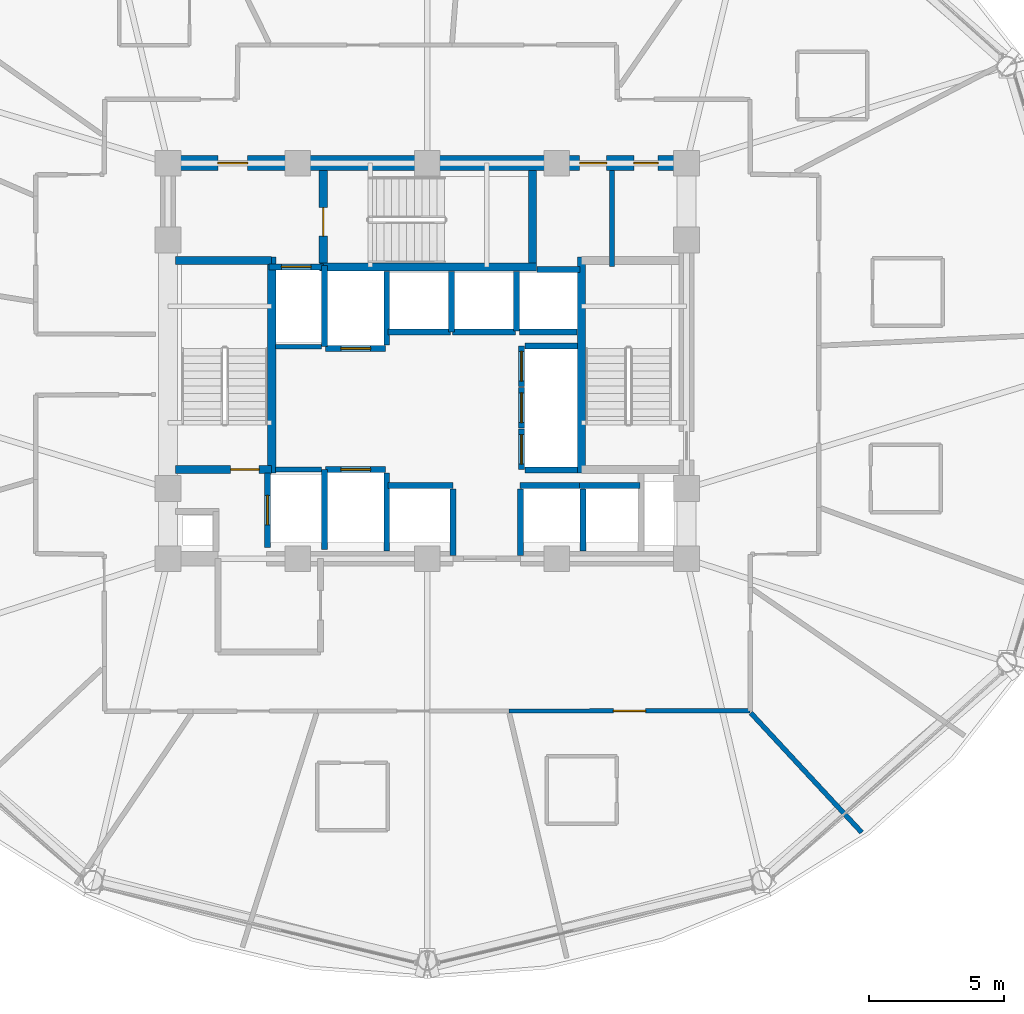
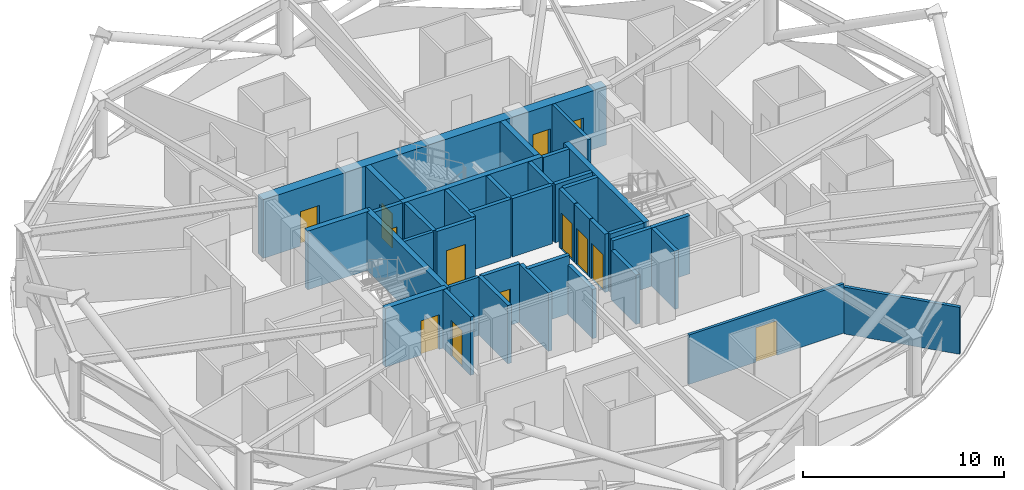
# One storey, part 23 of 29: 38 walls, 13 doors, 13 openings.
"""IFC4 building model written with IfcOpenShell, lengths in metres."""

from ifc_helpers import new_model, si_unit, direction, frame, frame_2d, origin, place, context, subcontext, project, spatial, rectangle, extrude, material, layer, layer_set, type_object, element, fill, save


model = new_model("IFC4")

# Units and contexts
model_context = context("Model", 3, precision=1e-05, world=origin(), true_north=direction((0.0, 1.0)))
body_context = subcontext(model_context, "Body", "Model", "MODEL_VIEW")
ifc_project = project(units=[si_unit("LENGTHUNIT", "METRE"), si_unit("AREAUNIT", "SQUARE_METRE"), si_unit("VOLUMEUNIT", "CUBIC_METRE"), si_unit("PLANEANGLEUNIT", "RADIAN"), si_unit("MASSUNIT", "GRAM", prefix="KILO")], contexts=[model_context])

# Site, building, storey
site_placement = place(None, origin())
site = spatial("IfcSite", under=ifc_project, at=site_placement, CompositionType="ELEMENT")
building_placement = place(site_placement, origin())
building = spatial("IfcBuilding", under=site, at=building_placement, Name="Vantalir Tower", CompositionType="ELEMENT")
storey_placement = place(building_placement, frame((0.0, 0.0, 157.199951171875)))
storey = spatial("IfcBuildingStorey", under=building, at=storey_placement, Name="L39", CompositionType="ELEMENT", Elevation=157.199951171875)

# Wall, openings, doors
ifc_material_1 = material(Name="Concrete C60/75", Category="concrete")
ifc_layer_1 = layer(ifc_material_1, 0.550048828125)
ifc_layer_set_1 = layer_set([ifc_layer_1], Name="Concrete C60/75")
wall_type_1 = type_object("IfcWallType", Name="WL-CORE-550", PredefinedType="SHEAR", material=ifc_layer_set_1)
wall_1_placement = place(storey_placement, frame((21.625, 32.449951171875, 0.0), z_axis=(0.0, 0.0, 1.0), x_axis=(1.0, 0.0, 0.0)))
wall_1 = element("IfcWall", 1, at=wall_1_placement, inside=storey, type_object=wall_type_1, Name="L39 Core Shear Wall North", PredefinedType="SHEAR", context=body_context, shape_type="SweptSolid", body=[
    extrude(rectangle(XDim=19.75, YDim=0.550048828125, at=frame_2d((9.875, 0.0))), origin(), (0.0, 0.0, 1.0), 3.570068359375),
])
opening_1_placement = place(wall_1_placement, frame((2.125, 0.0, 0.0)))
opening_1 = element("IfcOpeningElement", 2, at=opening_1_placement, cuts=wall_1, Name="Opening D-FFL", PredefinedType="OPENING", context=body_context, shape_type="SweptSolid", body=[
    extrude(rectangle(XDim=1.10009765625, YDim=2.10009765625, at=frame_2d((0.550048828125, 1.050048828125))), frame((0.0, 0.284912109375, 0.0), z_axis=(0.0, -1.0, 0.0), x_axis=(1.0, 0.0, 0.0)), (0.0, 0.0, 1.0), 0.570068359375),
])
opening_2_placement = place(wall_1_placement, frame((15.514892578125, 0.0, 0.0)))
opening_2 = element("IfcOpeningElement", 3, at=opening_2_placement, cuts=wall_1, Name="Opening D-GUEST", PredefinedType="OPENING", context=body_context, shape_type="SweptSolid", body=[
    extrude(rectangle(XDim=1.0, YDim=2.10009765625, at=frame_2d((0.5, 1.050048828125))), frame((0.0, 0.284912109375, 0.0), z_axis=(0.0, -1.0, 0.0), x_axis=(1.0, 0.0, 0.0)), (0.0, 0.0, 1.0), 0.570068359375),
])
opening_3_placement = place(wall_1_placement, frame((17.52490234375, 0.0, 0.0)))
opening_3 = element("IfcOpeningElement", 4, at=opening_3_placement, cuts=wall_1, Name="Opening D-CR", PredefinedType="OPENING", context=body_context, shape_type="SweptSolid", body=[
    extrude(rectangle(XDim=0.89990234375, YDim=2.10009765625, at=frame_2d((0.449951171875, 1.050048828125))), frame((0.0, 0.284912109375, 0.0), z_axis=(0.0, -1.0, 0.0), x_axis=(1.0, 0.0, 0.0)), (0.0, 0.0, 1.0), 0.570068359375),
])
ifc_material_2 = material(Name="Fire-rated steel core service door", Category="steel")
door_type_1 = type_object("IfcDoorType", Name="DR-CORE-SERV-900", OperationType="NOTDEFINED", PredefinedType="DOOR", material=ifc_material_2)
door_1_placement = place(opening_3_placement, frame((0.89990234375, 0.0, 0.0), z_axis=(0.0, 0.0, 1.0), x_axis=(-1.0, 0.0, 0.0)))
door_1 = element("IfcDoor", 5, at=door_1_placement, inside=storey, type_object=door_type_1, Name="L39 Housekeeping and Linen Room Door", OperationType="SINGLE_SWING_RIGHT", OverallHeight=2.10009765625, OverallWidth=0.89990234375, PredefinedType="DOOR", context=body_context, shape_type="SweptSolid", body=[
    extrude(rectangle(XDim=0.89990234375, YDim=2.10009765625, at=frame_2d((0.449951171875, 1.050048828125))), frame((0.0, 0.02490234375, 0.0), z_axis=(0.0, -1.0, 0.0), x_axis=(1.0, 0.0, 0.0)), (0.0, 0.0, 1.0), 0.050048828125),
])
fill(opening_3, door_1)
ifc_material_3 = material(Name="Fire-rated acoustic steel door", Category="steel")
door_type_2 = type_object("IfcDoorType", Name="DR-FIRE-LOBBY-1100", OperationType="NOTDEFINED", PredefinedType="DOOR", material=ifc_material_3)
door_2_placement = place(opening_1_placement, frame((1.10009765625, 0.0, 0.0), z_axis=(0.0, 0.0, 1.0), x_axis=(-1.0, 0.0, 0.0)))
door_2 = element("IfcDoor", 6, at=door_2_placement, inside=storey, type_object=door_type_2, Name="L39 Firefighting Lobby East Access Door", OperationType="SINGLE_SWING_LEFT", OverallHeight=2.10009765625, OverallWidth=1.10009765625, PredefinedType="DOOR", context=body_context, shape_type="SweptSolid", body=[
    extrude(rectangle(XDim=1.10009765625, YDim=2.10009765625, at=frame_2d((0.550048828125, 1.050048828125))), frame((0.0, 0.02490234375, 0.0), z_axis=(0.0, -1.0, 0.0), x_axis=(1.0, 0.0, 0.0)), (0.0, 0.0, 1.0), 0.050048828125),
])
fill(opening_1, door_2)
ifc_material_4 = material(Name="Solid-core teak veneer acoustic fire door", Category="wood")
door_type_3 = type_object("IfcDoorType", Name="DR-GUEST-ENTRY-1000", OperationType="NOTDEFINED", PredefinedType="DOOR", material=ifc_material_4)
door_3_placement = place(opening_2_placement, frame((1.0, 0.0, 0.0), z_axis=(0.0, 0.0, 1.0), x_axis=(-1.0, 0.0, 0.0)))
door_3 = element("IfcDoor", 7, at=door_3_placement, inside=storey, type_object=door_type_3, Name="L39 High-Rise Lift Lobby Door", OperationType="SINGLE_SWING_LEFT", OverallHeight=2.10009765625, OverallWidth=1.0, PredefinedType="DOOR", context=body_context, shape_type="SweptSolid", body=[
    extrude(rectangle(XDim=1.0, YDim=2.10009765625, at=frame_2d((0.5, 1.050048828125))), frame((0.0, 0.02490234375, 0.0), z_axis=(0.0, -1.0, 0.0), x_axis=(1.0, 0.0, 0.0)), (0.0, 0.0, 1.0), 0.050048828125),
])
fill(opening_2, door_3)

# Wall, opening, door
ifc_material_5 = material(Name="Fire-rated hotel corridor acoustic partition", Category="gypsum")
ifc_layer_2 = layer(ifc_material_5, 0.159912109375)
ifc_layer_set_2 = layer_set([ifc_layer_2], Name="Fire-rated hotel corridor acoustic partition")
wall_type_2 = type_object("IfcWallType", Name="WL-CORR-160", PredefinedType="PARTITIONING", material=ifc_layer_set_2)
wall_2_placement = place(storey_placement, frame((43.4580078125, 12.16796875, 0.0), z_axis=(0.0, 0.0, 1.0), x_axis=(-0.99999990454, -0.000436943538, 0.0)))
wall_2 = element("IfcWall", 8, at=wall_2_placement, inside=storey, type_object=wall_type_2, Name="L39 Corridor Partition 25", PredefinedType="PARTITIONING", context=body_context, shape_type="SweptSolid", body=[
    extrude(rectangle(XDim=8.93994140625, YDim=0.159912109375, at=frame_2d((4.469970703125, 0.0))), origin(), (0.0, 0.0, 1.0), 3.006103515625),
])
opening_4_placement = place(wall_2_placement, frame((3.8701171875, 0.0, 0.0)))
opening_4 = element("IfcOpeningElement", 9, at=opening_4_placement, cuts=wall_2, Name="Opening D-STE", PredefinedType="OPENING", context=body_context, shape_type="SweptSolid", body=[
    extrude(rectangle(XDim=1.199951171875, YDim=2.10009765625, at=frame_2d((0.60009765625, 1.050048828125))), frame((0.0, 0.08984375, 0.0), z_axis=(0.0, -1.0, 0.0), x_axis=(1.0, 0.0, 0.0)), (0.0, 0.0, 1.0), 0.179931640625),
])
ifc_material_6 = material(Name="Solid-core teak veneer suite entrance door", Category="wood")
door_type_4 = type_object("IfcDoorType", Name="DR-SUITE-ENTRY-1200", OperationType="NOTDEFINED", PredefinedType="DOOR", material=ifc_material_6)
door_4_placement = place(opening_4_placement, origin())
door_4 = element("IfcDoor", 10, at=door_4_placement, inside=storey, type_object=door_type_4, Name="L39 Corner Panorama Hotel Suite 13 Door", OperationType="SINGLE_SWING_RIGHT", OverallHeight=2.10009765625, OverallWidth=1.199951171875, PredefinedType="DOOR", context=body_context, shape_type="SweptSolid", body=[
    extrude(rectangle(XDim=1.199951171875, YDim=2.10009765625, at=frame_2d((0.60009765625, 1.050048828125))), frame((0.0, 0.02490234375, 0.0), z_axis=(0.0, -1.0, 0.0), x_axis=(1.0, 0.0, 0.0)), (0.0, 0.0, 1.0), 0.050048828125),
])
fill(opening_4, door_4)

# Walls
ifc_material_7 = material(Name="Concrete blockwork with fireboard lining", Category="masonry")
ifc_layer_3 = layer(ifc_material_7, 0.219970703125)
ifc_layer_set_3 = layer_set([ifc_layer_3], Name="Concrete blockwork with fireboard lining")
wall_type_3 = type_object("IfcWallType", Name="WL-FFL-220", PredefinedType="PARTITIONING", material=ifc_layer_set_3)
wall_3_placement = place(storey_placement, frame((30.0, 18.080078125, 0.0), z_axis=(0.0, 0.0, 1.0), x_axis=(0.0, 1.0, 0.0)))
element("IfcWall", 11, at=wall_3_placement, inside=storey, type_object=wall_type_3, Name="L39 Service Lift SV1 East Shaft Wall", PredefinedType="PARTITIONING", context=body_context, shape_type="SweptSolid", body=[
    extrude(rectangle(XDim=2.89990234375, YDim=0.219970703125, at=frame_2d((1.449951171875, 0.0))), origin(), (0.0, 0.0, 1.0), 3.545166015625),
])
for number, where, z_axis, x_axis, name in (
    (12, (32.449951171875, 17.919921875, 0.0), (0.0, 0.0, 1.0), (0.0, 1.0, 0.0), "L39 Shuttle Lift PL-X1 East Shaft Cheek"),
    (13, (34.949951171875, 17.919921875, 0.0), (0.0, 0.0, 1.0), (0.0, 1.0, 0.0), "L39 Shuttle Lift PL-X3 West Shaft Cheek"),
):
    element("IfcWall", number, at=place(storey_placement, frame(where, z_axis=z_axis, x_axis=x_axis)), inside=storey, type_object=wall_type_3, Name=name, PredefinedType="PARTITIONING", context=body_context, shape_type="SweptSolid", body=[
        extrude(rectangle(XDim=2.469970703125, YDim=0.219970703125, at=frame_2d((1.23486328125, 0.0))), origin(), (0.0, 0.0, 1.0), 3.006103515625),
    ])
wall_4_placement = place(storey_placement, frame((37.27490234375, 18.080078125, 0.0), z_axis=(0.0, 0.0, 1.0), x_axis=(0.0, 1.0, 0.0)))
element("IfcWall", 14, at=wall_4_placement, inside=storey, type_object=wall_type_3, Name="L39 Shuttle Lift PL-X2/X3 Shaft Divider", PredefinedType="PARTITIONING", context=body_context, shape_type="SweptSolid", body=[
    extrude(rectangle(XDim=2.309814453125, YDim=0.219970703125, at=frame_2d((1.15478515625, 0.0))), origin(), (0.0, 0.0, 1.0), 3.545166015625),
])
wall_5_placement = place(storey_placement, frame((30.0, 25.7099609375, 0.0), z_axis=(0.0, 0.0, 1.0), x_axis=(0.0, 1.0, 0.0)))
element("IfcWall", 15, at=wall_5_placement, inside=storey, type_object=wall_type_3, Name="L39 Service Lift SV2 East Shaft Wall", PredefinedType="PARTITIONING", context=body_context, shape_type="SweptSolid", body=[
    extrude(rectangle(XDim=2.72998046875, YDim=0.219970703125, at=frame_2d((1.364990234375, 0.0))), origin(), (0.0, 0.0, 1.0), 3.545166015625),
])
wall_6_placement = place(storey_placement, frame((32.39990234375, 26.199951171875, 0.0), z_axis=(0.0, 0.0, 1.0), x_axis=(0.0, 1.0, 0.0)))
element("IfcWall", 16, at=wall_6_placement, inside=storey, type_object=wall_type_3, Name="L39 High-Rise Lift PL-H1/H2 Shaft Divider", PredefinedType="PARTITIONING", context=body_context, shape_type="SweptSolid", body=[
    extrude(rectangle(XDim=2.239990234375, YDim=0.219970703125, at=frame_2d((1.1201171875, 0.0))), origin(), (0.0, 0.0, 1.0), 3.545166015625),
])
wall_7_placement = place(storey_placement, frame((34.800048828125, 26.22998046875, 0.0), z_axis=(0.0, 0.0, 1.0), x_axis=(0.0, 1.0, 0.0)))
element("IfcWall", 17, at=wall_7_placement, inside=storey, type_object=wall_type_3, Name="L39 High-Rise Lift PL-H2/H3 Shaft Divider", PredefinedType="PARTITIONING", context=body_context, shape_type="SweptSolid", body=[
    extrude(rectangle(XDim=2.2099609375, YDim=0.219970703125, at=frame_2d((1.10498046875, 0.0))), origin(), (0.0, 0.0, 1.0), 3.545166015625),
])
wall_8_placement = place(storey_placement, frame((34.909912109375, 26.18994140625, 0.0), z_axis=(0.0, 0.0, 1.0), x_axis=(1.0, 0.0, 0.0)))
element("IfcWall", 18, at=wall_8_placement, inside=storey, type_object=wall_type_3, Name="L39 High-Rise Lift PL-H3 Rear Shaft Wall", PredefinedType="PARTITIONING", context=body_context, shape_type="SweptSolid", body=[
    extrude(rectangle(XDim=2.14013671875, YDim=0.219970703125, at=frame_2d((1.070068359375, 0.0))), origin(), (0.0, 0.0, 1.0), 3.545166015625),
])

# Wall, opening, door
wall_9_placement = place(storey_placement, frame((25.590087890625, 18.219970703125, 0.0), z_axis=(0.0, 0.0, 1.0), x_axis=(0.0, 1.0, 0.0)))
wall_9 = element("IfcWall", 19, at=wall_9_placement, inside=storey, type_object=wall_type_3, Name="L39 Lift FL1 Shaft Front Wall", PredefinedType="PARTITIONING", context=body_context, shape_type="SweptSolid", body=[
    extrude(rectangle(XDim=2.760009765625, YDim=0.219970703125, at=frame_2d((1.3798828125, 0.0))), origin(), (0.0, 0.0, 1.0), 3.550048828125),
])
opening_5_placement = place(wall_9_placement, frame((0.830078125, 0.0, 0.0)))
opening_5 = element("IfcOpeningElement", 20, at=opening_5_placement, cuts=wall_9, Name="Opening LD-FL1", PredefinedType="OPENING", context=body_context, shape_type="SweptSolid", body=[
    extrude(rectangle(XDim=1.10009765625, YDim=2.199951171875, at=frame_2d((0.550048828125, 1.10009765625))), frame((0.0, 0.119873046875, 0.0), z_axis=(0.0, -1.0, 0.0), x_axis=(1.0, 0.0, 0.0)), (0.0, 0.0, 1.0), 0.239990234375),
])
ifc_material_8 = material(Name="Brushed stainless-steel sliding lift landing door", Category="steel")
door_type_5 = type_object("IfcDoorType", Name="DR-LIFT-LANDING-1100", OperationType="DOUBLE_DOOR_SLIDING", PredefinedType="DOOR", material=ifc_material_8)
door_5_placement = place(opening_5_placement, origin())
door_5 = element("IfcDoor", 21, at=door_5_placement, inside=storey, type_object=door_type_5, Name="L39 Lift Landing Door FL1", OperationType="DOUBLE_DOOR_SLIDING", OverallHeight=2.199951171875, OverallWidth=1.10009765625, PredefinedType="DOOR", context=body_context, shape_type="SweptSolid", body=[
    extrude(rectangle(XDim=1.10009765625, YDim=2.199951171875, at=frame_2d((0.550048828125, 1.10009765625))), frame((0.0, 0.02490234375, 0.0), z_axis=(0.0, -1.0, 0.0), x_axis=(1.0, 0.0, 0.0)), (0.0, 0.0, 1.0), 0.050048828125),
])
fill(opening_5, door_5)

wall_10_placement = place(storey_placement, frame((25.639892578125, 28.610107421875, 0.0), z_axis=(0.0, 0.0, 1.0), x_axis=(1.0, 0.0, 0.0)))
wall_10 = element("IfcWall", 22, at=wall_10_placement, inside=storey, type_object=wall_type_3, Name="L39 Lift FL2 Shaft Front Wall", PredefinedType="PARTITIONING", context=body_context, shape_type="SweptSolid", body=[
    extrude(rectangle(XDim=2.02001953125, YDim=0.219970703125, at=frame_2d((1.010009765625, 0.0))), origin(), (0.0, 0.0, 1.0), 3.550048828125),
])
opening_6_placement = place(wall_10_placement, frame((0.4599609375, 0.0, 0.0)))
opening_6 = element("IfcOpeningElement", 23, at=opening_6_placement, cuts=wall_10, Name="Opening LD-FL2", PredefinedType="OPENING", context=body_context, shape_type="SweptSolid", body=[
    extrude(rectangle(XDim=1.10009765625, YDim=2.199951171875, at=frame_2d((0.550048828125, 1.10009765625))), frame((0.0, 0.119873046875, 0.0), z_axis=(0.0, -1.0, 0.0), x_axis=(1.0, 0.0, 0.0)), (0.0, 0.0, 1.0), 0.239990234375),
])
door_6_placement = place(opening_6_placement, origin())
door_6 = element("IfcDoor", 24, at=door_6_placement, inside=storey, type_object=door_type_5, Name="L39 Lift Landing Door FL2", OperationType="DOUBLE_DOOR_SLIDING", OverallHeight=2.199951171875, OverallWidth=1.10009765625, PredefinedType="DOOR", context=body_context, shape_type="SweptSolid", body=[
    extrude(rectangle(XDim=1.10009765625, YDim=2.199951171875, at=frame_2d((0.550048828125, 1.10009765625))), frame((0.0, 0.02490234375, 0.0), z_axis=(0.0, -1.0, 0.0), x_axis=(1.0, 0.0, 0.0)), (0.0, 0.0, 1.0), 0.050048828125),
])
fill(opening_6, door_6)

wall_11_placement = place(storey_placement, frame((27.739990234375, 21.110107421875, 0.0), z_axis=(0.0, 0.0, 1.0), x_axis=(1.0, 0.0, 0.0)))
wall_11 = element("IfcWall", 25, at=wall_11_placement, inside=storey, type_object=wall_type_3, Name="L39 Lift SV1 Shaft Front Wall", PredefinedType="PARTITIONING", context=body_context, shape_type="SweptSolid", body=[
    extrude(rectangle(XDim=2.219970703125, YDim=0.219970703125, at=frame_2d((1.10986328125, 0.0))), origin(), (0.0, 0.0, 1.0), 3.550048828125),
])
opening_7_placement = place(wall_11_placement, frame((0.56005859375, 0.0, 0.0)))
opening_7 = element("IfcOpeningElement", 26, at=opening_7_placement, cuts=wall_11, Name="Opening LD-SV1", PredefinedType="OPENING", context=body_context, shape_type="SweptSolid", body=[
    extrude(rectangle(XDim=1.10009765625, YDim=2.199951171875, at=frame_2d((0.550048828125, 1.10009765625))), frame((0.0, 0.119873046875, 0.0), z_axis=(0.0, -1.0, 0.0), x_axis=(1.0, 0.0, 0.0)), (0.0, 0.0, 1.0), 0.239990234375),
])
door_7_placement = place(opening_7_placement, origin())
door_7 = element("IfcDoor", 27, at=door_7_placement, inside=storey, type_object=door_type_5, Name="L39 Lift Landing Door SV1", OperationType="DOUBLE_DOOR_SLIDING", OverallHeight=2.199951171875, OverallWidth=1.10009765625, PredefinedType="DOOR", context=body_context, shape_type="SweptSolid", body=[
    extrude(rectangle(XDim=1.10009765625, YDim=2.199951171875, at=frame_2d((0.550048828125, 1.10009765625))), frame((0.0, 0.02490234375, 0.0), z_axis=(0.0, -1.0, 0.0), x_axis=(1.0, 0.0, 0.0)), (0.0, 0.0, 1.0), 0.050048828125),
])
fill(opening_7, door_7)

wall_12_placement = place(storey_placement, frame((27.739990234375, 25.590087890625, 0.0), z_axis=(0.0, 0.0, 1.0), x_axis=(1.0, 0.0, 0.0)))
wall_12 = element("IfcWall", 28, at=wall_12_placement, inside=storey, type_object=wall_type_3, Name="L39 Lift SV2 Shaft Front Wall", PredefinedType="PARTITIONING", context=body_context, shape_type="SweptSolid", body=[
    extrude(rectangle(XDim=2.219970703125, YDim=0.219970703125, at=frame_2d((1.10986328125, 0.0))), origin(), (0.0, 0.0, 1.0), 3.550048828125),
])
opening_8_placement = place(wall_12_placement, frame((0.56005859375, 0.0, 0.0)))
opening_8 = element("IfcOpeningElement", 29, at=opening_8_placement, cuts=wall_12, Name="Opening LD-SV2", PredefinedType="OPENING", context=body_context, shape_type="SweptSolid", body=[
    extrude(rectangle(XDim=1.10009765625, YDim=2.199951171875, at=frame_2d((0.550048828125, 1.10009765625))), frame((0.0, 0.119873046875, 0.0), z_axis=(0.0, -1.0, 0.0), x_axis=(1.0, 0.0, 0.0)), (0.0, 0.0, 1.0), 0.239990234375),
])
door_8_placement = place(opening_8_placement, frame((1.10009765625, 0.0, 0.0), z_axis=(0.0, 0.0, 1.0), x_axis=(-1.0, 0.0, 0.0)))
door_8 = element("IfcDoor", 30, at=door_8_placement, inside=storey, type_object=door_type_5, Name="L39 Lift Landing Door SV2", OperationType="DOUBLE_DOOR_SLIDING", OverallHeight=2.199951171875, OverallWidth=1.10009765625, PredefinedType="DOOR", context=body_context, shape_type="SweptSolid", body=[
    extrude(rectangle(XDim=1.10009765625, YDim=2.199951171875, at=frame_2d((0.550048828125, 1.10009765625))), frame((0.0, 0.02490234375, 0.0), z_axis=(0.0, -1.0, 0.0), x_axis=(1.0, 0.0, 0.0)), (0.0, 0.0, 1.0), 0.050048828125),
])
fill(opening_8, door_8)

# Walls
wall_13_placement = place(storey_placement, frame((30.0400390625, 20.510009765625, 0.0), z_axis=(0.0, 0.0, 1.0), x_axis=(1.0, 0.0, 0.0)))
element("IfcWall", 31, at=wall_13_placement, inside=storey, type_object=wall_type_3, Name="L39 Lift PL-X1 Shaft Front Wall", PredefinedType="PARTITIONING", context=body_context, shape_type="SweptSolid", body=[
    extrude(rectangle(XDim=2.419921875, YDim=0.219970703125, at=frame_2d((1.2099609375, 0.0))), origin(), (0.0, 0.0, 1.0), 3.550048828125),
])
for number, where, z_axis, x_axis, name in (
    (32, (37.139892578125, 20.510009765625, 0.0), (0.0, 0.0, 1.0), (1.0, 0.0, 0.0), "L39 Lift PL-X2 Shaft Rear Wall"),
    (33, (34.93994140625, 20.510009765625, 0.0), (0.0, 0.0, 1.0), (1.0, 0.0, 0.0), "L39 Lift PL-X3 Shaft Front Wall"),
):
    element("IfcWall", number, at=place(storey_placement, frame(where, z_axis=z_axis, x_axis=x_axis)), inside=storey, type_object=wall_type_3, Name=name, PredefinedType="PARTITIONING", context=body_context, shape_type="SweptSolid", body=[
        extrude(rectangle(XDim=2.239990234375, YDim=0.219970703125, at=frame_2d((1.1201171875, 0.0))), origin(), (0.0, 0.0, 1.0), 3.550048828125),
    ])
for number, where, z_axis, x_axis, name in (
    (34, (30.0400390625, 26.18994140625, 0.0), (0.0, 0.0, 1.0), (1.0, 0.0, 0.0), "L39 Lift PL-H1 Shaft Front Wall"),
    (35, (32.43994140625, 26.18994140625, 0.0), (0.0, 0.0, 1.0), (1.0, 0.0, 0.0), "L39 Lift PL-H2 Shaft Front Wall"),
):
    element("IfcWall", number, at=place(storey_placement, frame(where, z_axis=z_axis, x_axis=x_axis)), inside=storey, type_object=wall_type_3, Name=name, PredefinedType="PARTITIONING", context=body_context, shape_type="SweptSolid", body=[
        extrude(rectangle(XDim=2.320068359375, YDim=0.219970703125, at=frame_2d((1.16015625, 0.0))), origin(), (0.0, 0.0, 1.0), 3.550048828125),
    ])
wall_14_placement = place(storey_placement, frame((35.56005859375, 28.510009765625, 0.0), z_axis=(0.0, 0.0, 1.0), x_axis=(1.0, 0.0, 0.0)))
element("IfcWall", 36, at=wall_14_placement, inside=storey, type_object=wall_type_3, Name="L39 Lift PL-H3 Shaft Front Wall", PredefinedType="PARTITIONING", context=body_context, shape_type="SweptSolid", body=[
    extrude(rectangle(XDim=1.599853515625, YDim=0.219970703125, at=frame_2d((0.7998046875, 0.0))), origin(), (0.0, 0.0, 1.0), 3.550048828125),
])

# Wall, opening, door
wall_15_placement = place(storey_placement, frame((34.989990234375, 21.10009765625, 0.0), z_axis=(0.0, 0.0, 1.0), x_axis=(0.0, 1.0, 0.0)))
wall_15 = element("IfcWall", 37, at=wall_15_placement, inside=storey, type_object=wall_type_3, Name="L39 Lift PL-M1 Shaft Front Wall", PredefinedType="PARTITIONING", context=body_context, shape_type="SweptSolid", body=[
    extrude(rectangle(XDim=1.5, YDim=0.219970703125, at=frame_2d((0.75, 0.0))), origin(), (0.0, 0.0, 1.0), 3.550048828125),
])
opening_9_placement = place(wall_15_placement, frame((0.199951171875, 0.0, 0.0)))
opening_9 = element("IfcOpeningElement", 38, at=opening_9_placement, cuts=wall_15, Name="Opening LD-PL-M1", PredefinedType="OPENING", context=body_context, shape_type="SweptSolid", body=[
    extrude(rectangle(XDim=1.10009765625, YDim=2.199951171875, at=frame_2d((0.550048828125, 1.10009765625))), frame((0.0, 0.119873046875, 0.0), z_axis=(0.0, -1.0, 0.0), x_axis=(1.0, 0.0, 0.0)), (0.0, 0.0, 1.0), 0.239990234375),
])
door_9_placement = place(opening_9_placement, origin())
door_9 = element("IfcDoor", 39, at=door_9_placement, inside=storey, type_object=door_type_5, Name="L39 Lift Landing Door PL-M1", OperationType="DOUBLE_DOOR_SLIDING", OverallHeight=2.199951171875, OverallWidth=1.10009765625, PredefinedType="DOOR", context=body_context, shape_type="SweptSolid", body=[
    extrude(rectangle(XDim=1.10009765625, YDim=2.199951171875, at=frame_2d((0.550048828125, 1.10009765625))), frame((0.0, 0.02490234375, 0.0), z_axis=(0.0, -1.0, 0.0), x_axis=(1.0, 0.0, 0.0)), (0.0, 0.0, 1.0), 0.050048828125),
])
fill(opening_9, door_9)

wall_16_placement = place(storey_placement, frame((34.989990234375, 22.639892578125, 0.0), z_axis=(0.0, 0.0, 1.0), x_axis=(0.0, 1.0, 0.0)))
wall_16 = element("IfcWall", 40, at=wall_16_placement, inside=storey, type_object=wall_type_3, Name="L39 Lift PL-M2 Shaft Front Wall", PredefinedType="PARTITIONING", context=body_context, shape_type="SweptSolid", body=[
    extrude(rectangle(XDim=1.5, YDim=0.219970703125, at=frame_2d((0.75, 0.0))), origin(), (0.0, 0.0, 1.0), 3.550048828125),
])
opening_10_placement = place(wall_16_placement, frame((0.199951171875, 0.0, 0.0)))
opening_10 = element("IfcOpeningElement", 41, at=opening_10_placement, cuts=wall_16, Name="Opening LD-PL-M2", PredefinedType="OPENING", context=body_context, shape_type="SweptSolid", body=[
    extrude(rectangle(XDim=1.10009765625, YDim=2.199951171875, at=frame_2d((0.550048828125, 1.10009765625))), frame((0.0, 0.119873046875, 0.0), z_axis=(0.0, -1.0, 0.0), x_axis=(1.0, 0.0, 0.0)), (0.0, 0.0, 1.0), 0.239990234375),
])
door_10_placement = place(opening_10_placement, origin())
door_10 = element("IfcDoor", 42, at=door_10_placement, inside=storey, type_object=door_type_5, Name="L39 Lift Landing Door PL-M2", OperationType="DOUBLE_DOOR_SLIDING", OverallHeight=2.199951171875, OverallWidth=1.10009765625, PredefinedType="DOOR", context=body_context, shape_type="SweptSolid", body=[
    extrude(rectangle(XDim=1.10009765625, YDim=2.199951171875, at=frame_2d((0.550048828125, 1.10009765625))), frame((0.0, 0.02490234375, 0.0), z_axis=(0.0, -1.0, 0.0), x_axis=(1.0, 0.0, 0.0)), (0.0, 0.0, 1.0), 0.050048828125),
])
fill(opening_10, door_10)

wall_17_placement = place(storey_placement, frame((34.989990234375, 24.179931640625, 0.0), z_axis=(0.0, 0.0, 1.0), x_axis=(0.0, 1.0, 0.0)))
wall_17 = element("IfcWall", 43, at=wall_17_placement, inside=storey, type_object=wall_type_3, Name="L39 Lift PL-M3 Shaft Front Wall", PredefinedType="PARTITIONING", context=body_context, shape_type="SweptSolid", body=[
    extrude(rectangle(XDim=1.5, YDim=0.219970703125, at=frame_2d((0.75, 0.0))), origin(), (0.0, 0.0, 1.0), 3.550048828125),
])
opening_11_placement = place(wall_17_placement, frame((0.199951171875, 0.0, 0.0)))
opening_11 = element("IfcOpeningElement", 44, at=opening_11_placement, cuts=wall_17, Name="Opening LD-PL-M3", PredefinedType="OPENING", context=body_context, shape_type="SweptSolid", body=[
    extrude(rectangle(XDim=1.10009765625, YDim=2.199951171875, at=frame_2d((0.550048828125, 1.10009765625))), frame((0.0, 0.119873046875, 0.0), z_axis=(0.0, -1.0, 0.0), x_axis=(1.0, 0.0, 0.0)), (0.0, 0.0, 1.0), 0.239990234375),
])
door_11_placement = place(opening_11_placement, origin())
door_11 = element("IfcDoor", 45, at=door_11_placement, inside=storey, type_object=door_type_5, Name="L39 Lift Landing Door PL-M3", OperationType="DOUBLE_DOOR_SLIDING", OverallHeight=2.199951171875, OverallWidth=1.10009765625, PredefinedType="DOOR", context=body_context, shape_type="SweptSolid", body=[
    extrude(rectangle(XDim=1.10009765625, YDim=2.199951171875, at=frame_2d((0.550048828125, 1.10009765625))), frame((0.0, 0.02490234375, 0.0), z_axis=(0.0, -1.0, 0.0), x_axis=(1.0, 0.0, 0.0)), (0.0, 0.0, 1.0), 0.050048828125),
])
fill(opening_11, door_11)

# Walls
wall_18_placement = place(storey_placement, frame((27.699951171875, 18.14990234375, 0.0), z_axis=(0.0, 0.0, 1.0), x_axis=(0.0, 1.0, 0.0)))
element("IfcWall", 46, at=wall_18_placement, inside=storey, type_object=wall_type_3, Name="L39 Fire Lift FL1 Dividing Wall", PredefinedType="PARTITIONING", context=body_context, shape_type="SweptSolid", body=[
    extrude(rectangle(XDim=2.9501953125, YDim=0.219970703125, at=frame_2d((1.47509765625, 0.0))), origin(), (0.0, 0.0, 1.0), 3.550048828125),
])
wall_19_placement = place(storey_placement, frame((27.699951171875, 25.64990234375, 0.0), z_axis=(0.0, 0.0, 1.0), x_axis=(0.0, 1.0, 0.0)))
element("IfcWall", 47, at=wall_19_placement, inside=storey, type_object=wall_type_3, Name="L39 Fire Lift FL2 Dividing Wall", PredefinedType="PARTITIONING", context=body_context, shape_type="SweptSolid", body=[
    extrude(rectangle(XDim=3.0, YDim=0.219970703125, at=frame_2d((1.5, 0.0))), origin(), (0.0, 0.0, 1.0), 3.550048828125),
])
for number, where, z_axis, x_axis, name in (
    (48, (35.1201171875, 21.080078125, 0.0), (0.0, 0.0, 1.0), (1.0, 0.0, 0.0), "L39 Mid-Rise Bank South Wall"),
    (49, (35.1201171875, 25.679931640625, 0.0), (0.0, 0.0, 1.0), (1.0, 0.0, 0.0), "L39 Mid-Rise Bank North Wall"),
):
    element("IfcWall", number, at=place(storey_placement, frame(where, z_axis=z_axis, x_axis=x_axis)), inside=storey, type_object=wall_type_3, Name=name, PredefinedType="PARTITIONING", context=body_context, shape_type="SweptSolid", body=[
        extrude(rectangle(XDim=1.93994140625, YDim=0.219970703125, at=frame_2d((0.969970703125, 0.0))), origin(), (0.0, 0.0, 1.0), 3.550048828125),
    ])
ifc_material_9 = material(Name="Twin-stud acoustic fire-rated gypsum partition", Category="gypsum")
ifc_layer_4 = layer(ifc_material_9, 0.179931640625)
ifc_layer_set_4 = layer_set([ifc_layer_4], Name="Twin-stud acoustic fire-rated gypsum partition")
wall_type_4 = type_object("IfcWallType", Name="WL-GUEST-180", PredefinedType="PARTITIONING", material=ifc_layer_set_4)
for number, where, z_axis, x_axis, name in (
    (50, (25.889892578125, 21.10009765625, 0.0), (0.0, 0.0, 1.0), (1.0, 0.0, 0.0), "L39 Freed West Core South Wall"),
    (51, (25.889892578125, 25.64990234375, 0.0), (0.0, 0.0, 1.0), (1.0, 0.0, 0.0), "L39 Freed West Core North Wall"),
):
    element("IfcWall", number, at=place(storey_placement, frame(where, z_axis=z_axis, x_axis=x_axis)), inside=storey, type_object=wall_type_4, Name=name, PredefinedType="PARTITIONING", context=body_context, shape_type="SweptSolid", body=[
        extrude(rectangle(XDim=1.7001953125, YDim=0.179931640625, at=frame_2d((0.85009765625, 0.0))), origin(), (0.0, 0.0, 1.0), 3.550048828125),
    ])
wall_20_placement = place(storey_placement, frame((38.340087890625, 28.6201171875, 0.0), z_axis=(0.0, 0.0, 1.0), x_axis=(0.0, 1.0, 0.0)))
element("IfcWall", 52, at=wall_20_placement, inside=storey, type_object=wall_type_4, Name="L39 High-Rise Lift Lobby East Wall", PredefinedType="PARTITIONING", context=body_context, shape_type="SweptSolid", body=[
    extrude(rectangle(XDim=3.554931640625, YDim=0.179931640625, at=frame_2d((1.77734375, 0.0))), origin(), (0.0, 0.0, 1.0), 3.550048828125),
])
wall_21_placement = place(storey_placement, frame((43.48095703125, 12.090087890625, 0.0), z_axis=(0.0, 0.0, 1.0), x_axis=(0.680170141703, -0.73305428062, 0.0)))
element("IfcWall", 53, at=wall_21_placement, inside=storey, type_object=wall_type_4, Name="L39 Radial Suite Partition 14", PredefinedType="PARTITIONING", context=body_context, shape_type="SweptSolid", body=[
    extrude(rectangle(XDim=6.03369140625, YDim=0.179931640625, at=frame_2d((3.016845703125, 0.0))), origin(), (0.0, 0.0, 1.0), 2.85205078125),
])

# Wall, opening, door
ifc_material_10 = material(Name="Concrete C50/60", Category="concrete")
ifc_layer_5 = layer(ifc_material_10, 0.300048828125)
ifc_layer_set_5 = layer_set([ifc_layer_5], Name="Concrete C50/60")
wall_type_5 = type_object("IfcWallType", Name="WL-STAIR-300", PredefinedType="SHEAR", material=ifc_layer_set_5)
wall_22_placement = place(storey_placement, frame((22.175048828125, 21.10009765625, 0.0), z_axis=(0.0, 0.0, 1.0), x_axis=(1.0, 0.0, 0.0)))
wall_22 = element("IfcWall", 54, at=wall_22_placement, inside=storey, type_object=wall_type_5, Name="L39 Stair ST1 South Wall", PredefinedType="SHEAR", context=body_context, shape_type="SweptSolid", body=[
    extrude(rectangle(XDim=3.56494140625, YDim=0.300048828125, at=frame_2d((1.782470703125, 0.0))), origin(), (0.0, 0.0, 1.0), 3.570068359375),
])
opening_12_placement = place(wall_22_placement, frame((2.044921875, 0.0, 0.0)))
opening_12 = element("IfcOpeningElement", 55, at=opening_12_placement, cuts=wall_22, Name="Opening D-ST", PredefinedType="OPENING", context=body_context, shape_type="SweptSolid", body=[
    extrude(rectangle(XDim=1.050048828125, YDim=2.10009765625, at=frame_2d((0.52490234375, 1.050048828125))), frame((0.0, 0.159912109375, 0.0), z_axis=(0.0, -1.0, 0.0), x_axis=(1.0, 0.0, 0.0)), (0.0, 0.0, 1.0), 0.320068359375),
])
ifc_material_11 = material(Name="Fire-rated steel door leaf", Category="steel")
door_type_6 = type_object("IfcDoorType", Name="DR-FIRE-STAIR-1050", OperationType="NOTDEFINED", PredefinedType="DOOR", material=ifc_material_11)
door_12_placement = place(opening_12_placement, origin())
door_12 = element("IfcDoor", 56, at=door_12_placement, inside=storey, type_object=door_type_6, Name="L39 Exit Stair ST1 Fire Door", OperationType="SINGLE_SWING_RIGHT", OverallHeight=2.10009765625, OverallWidth=1.050048828125, PredefinedType="DOOR", context=body_context, shape_type="SweptSolid", body=[
    extrude(rectangle(XDim=1.050048828125, YDim=2.10009765625, at=frame_2d((0.52490234375, 1.050048828125))), frame((0.0, 0.02490234375, 0.0), z_axis=(0.0, -1.0, 0.0), x_axis=(1.0, 0.0, 0.0)), (0.0, 0.0, 1.0), 0.050048828125),
])
fill(opening_12, door_12)

# Walls
wall_23_placement = place(storey_placement, frame((22.175048828125, 28.85009765625, 0.0), z_axis=(0.0, 0.0, 1.0), x_axis=(1.0, 0.0, 0.0)))
element("IfcWall", 57, at=wall_23_placement, inside=storey, type_object=wall_type_5, Name="L39 Stair ST1 North Wall", PredefinedType="SHEAR", context=body_context, shape_type="SweptSolid", body=[
    extrude(rectangle(XDim=3.56494140625, YDim=0.300048828125, at=frame_2d((1.782470703125, 0.0))), origin(), (0.0, 0.0, 1.0), 3.570068359375),
])
for number, where, z_axis, x_axis, name in (
    (58, (25.739990234375, 20.97998046875, 0.0), (0.0, 0.0, 1.0), (0.0, 1.0, 0.0), "L39 Stair ST1 East Wall"),
    (59, (37.2099609375, 20.97998046875, 0.0), (0.0, 0.0, 1.0), (0.0, 1.0, 0.0), "L39 Stair ST2 West Wall"),
):
    element("IfcWall", number, at=place(storey_placement, frame(where, z_axis=z_axis, x_axis=x_axis)), inside=storey, type_object=wall_type_5, Name=name, PredefinedType="SHEAR", context=body_context, shape_type="SweptSolid", body=[
        extrude(rectangle(XDim=7.989990234375, YDim=0.300048828125, at=frame_2d((3.9951171875, 0.0))), origin(), (0.0, 0.0, 1.0), 3.570068359375),
    ])
wall_24_placement = place(storey_placement, frame((27.510009765625, 28.60009765625, 0.0), z_axis=(0.0, 0.0, 1.0), x_axis=(1.0, 0.0, 0.0)))
element("IfcWall", 60, at=wall_24_placement, inside=storey, type_object=wall_type_5, Name="L39 Stair ST3 South Wall", PredefinedType="SHEAR", context=body_context, shape_type="SweptSolid", body=[
    extrude(rectangle(XDim=8.030029296875, YDim=0.300048828125, at=frame_2d((4.01513671875, 0.0))), origin(), (0.0, 0.0, 1.0), 3.570068359375),
])

# Wall, opening, door
wall_25_placement = place(storey_placement, frame((27.64990234375, 28.75, 0.0), z_axis=(0.0, 0.0, 1.0), x_axis=(0.0, 1.0, 0.0)))
wall_25 = element("IfcWall", 61, at=wall_25_placement, inside=storey, type_object=wall_type_5, Name="L39 Stair ST3 West Wall", PredefinedType="SHEAR", context=body_context, shape_type="SweptSolid", body=[
    extrude(rectangle(XDim=3.425048828125, YDim=0.300048828125, at=frame_2d((1.71240234375, 0.0))), origin(), (0.0, 0.0, 1.0), 3.570068359375),
])
opening_13_placement = place(wall_25_placement, frame((1.0, 0.0, 0.0)))
opening_13 = element("IfcOpeningElement", 62, at=opening_13_placement, cuts=wall_25, Name="Opening D-ST", PredefinedType="OPENING", context=body_context, shape_type="SweptSolid", body=[
    extrude(rectangle(XDim=1.050048828125, YDim=2.10009765625, at=frame_2d((0.52490234375, 1.050048828125))), frame((0.0, 0.159912109375, 0.0), z_axis=(0.0, -1.0, 0.0), x_axis=(1.0, 0.0, 0.0)), (0.0, 0.0, 1.0), 0.320068359375),
])
door_13_placement = place(opening_13_placement, frame((1.050048828125, 0.0, 0.0), z_axis=(0.0, 0.0, 1.0), x_axis=(-1.0, 0.0, 0.0)))
door_13 = element("IfcDoor", 63, at=door_13_placement, inside=storey, type_object=door_type_6, Name="L39 Exit Stair ST3 Fire Door", OperationType="SINGLE_SWING_RIGHT", OverallHeight=2.10009765625, OverallWidth=1.050048828125, PredefinedType="DOOR", context=body_context, shape_type="SweptSolid", body=[
    extrude(rectangle(XDim=1.050048828125, YDim=2.10009765625, at=frame_2d((0.52490234375, 1.050048828125))), frame((0.0, 0.02490234375, 0.0), z_axis=(0.0, -1.0, 0.0), x_axis=(1.0, 0.0, 0.0)), (0.0, 0.0, 1.0), 0.050048828125),
])
fill(opening_13, door_13)

# Wall
wall_26_placement = place(storey_placement, frame((35.39990234375, 28.75, 0.0), z_axis=(0.0, 0.0, 1.0), x_axis=(0.0, 1.0, 0.0)))
element("IfcWall", 64, at=wall_26_placement, inside=storey, type_object=wall_type_5, Name="L39 Stair ST3 East Wall", PredefinedType="SHEAR", context=body_context, shape_type="SweptSolid", body=[
    extrude(rectangle(XDim=3.425048828125, YDim=0.300048828125, at=frame_2d((1.71240234375, 0.0))), origin(), (0.0, 0.0, 1.0), 3.570068359375),
])

save(model, "model.ifc")
